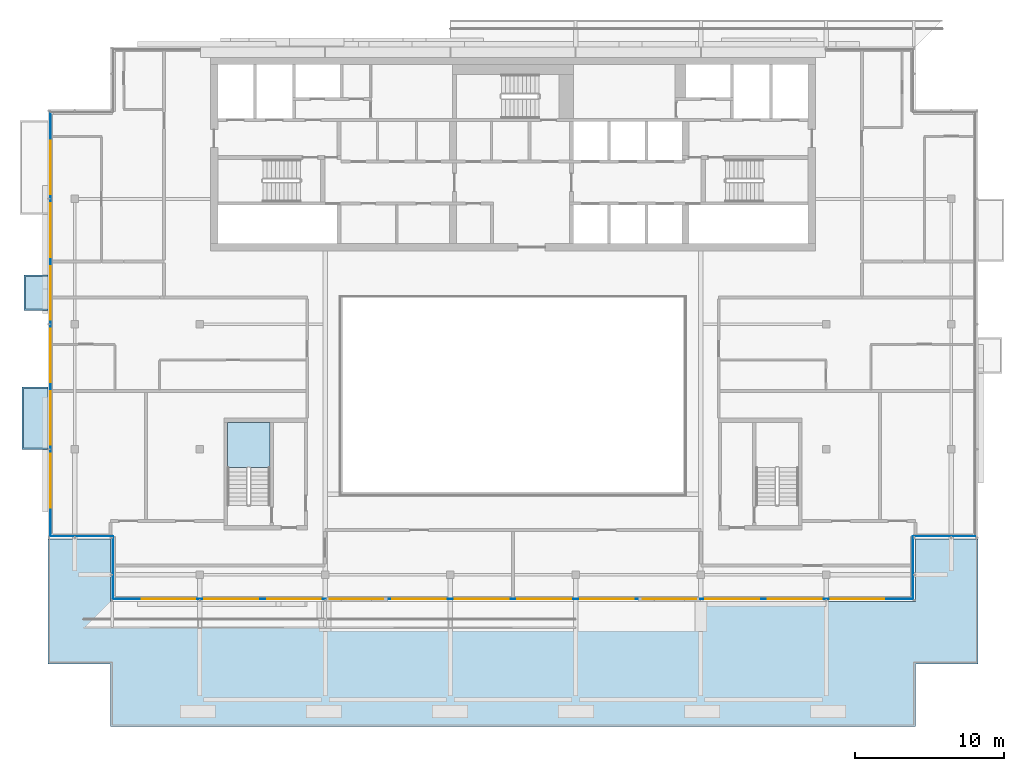
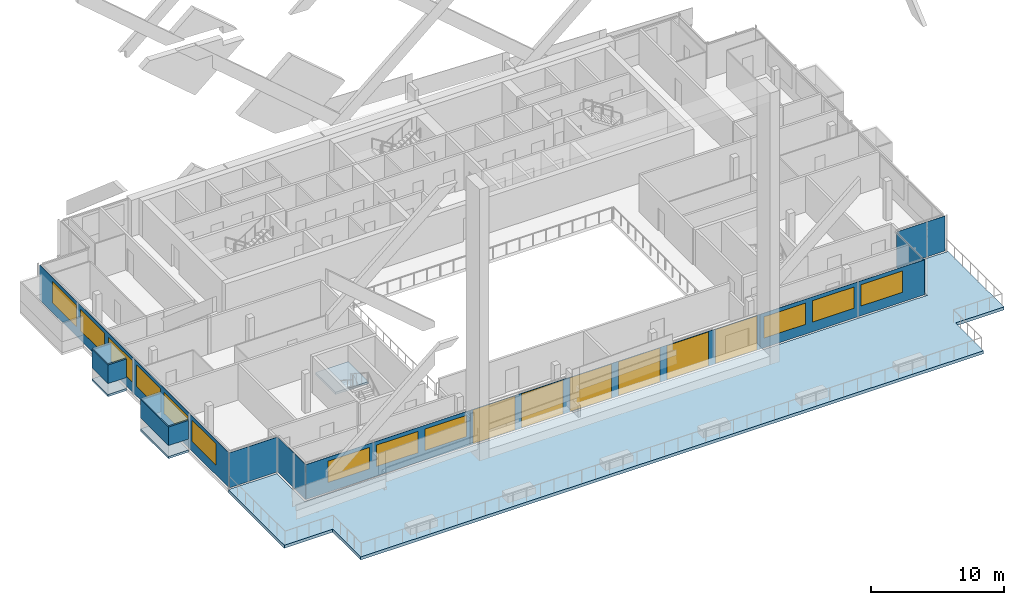
# One storey, part 9 of 22: 18 windows, 12 plates, 4 slabs, 18 openings, 7 elements without a shape of their own.
"""IFC4 building model written with IfcOpenShell, lengths in metres."""

from ifc_helpers import new_model, si_unit, direction, frame, frame_2d, origin, place, context, subcontext, project, spatial, polyline, rectangle, outline, extrude, material, layer, layer_set, type_object, element, fill, aggregate, save


model = new_model("IFC4")

# Units and contexts
model_context = context("Model", 3, precision=1e-05, world=origin(), true_north=direction((0.0, 1.0)))
body_context = subcontext(model_context, "Body", "Model", "MODEL_VIEW")
ifc_project = project(units=[si_unit("LENGTHUNIT", "METRE"), si_unit("AREAUNIT", "SQUARE_METRE"), si_unit("VOLUMEUNIT", "CUBIC_METRE"), si_unit("PLANEANGLEUNIT", "RADIAN"), si_unit("MASSUNIT", "GRAM", prefix="KILO")], contexts=[model_context])

# Site, building, storey
site_placement = place(None, origin())
site = spatial("IfcSite", under=ifc_project, at=site_placement, CompositionType="ELEMENT")
building_placement = place(site_placement, origin())
building = spatial("IfcBuilding", under=site, at=building_placement, Name="Saffron Gate Tower", CompositionType="ELEMENT")
storey_placement = place(building_placement, frame((0.0, 0.0, 285.14990234375)))
storey = spatial("IfcBuildingStorey", under=building, at=storey_placement, Name="L69", CompositionType="ELEMENT", Elevation=285.14990234375)

# Curtain wall, plates, openings, windows
ifc_material_1 = material(Name="Aluminium, bronze anodised", Category="aluminium")
curtain_wall_type_1 = type_object("IfcCurtainWallType", Name="CWS1 curtain wall front facade", PredefinedType="NOTDEFINED", material=ifc_material_1)
curtain_wall_1_placement = place(storey_placement, origin())
curtain_wall_1 = element("IfcCurtainWall", 1, at=curtain_wall_1_placement, inside=storey, type_object=curtain_wall_type_1, Name="CWS1 run 1", PredefinedType="NOTDEFINED")
ifc_material_2 = material(Name="Clear low-iron laminated glass", Category="glass")
ifc_layer_1 = layer(ifc_material_2, 0.028076171875)
ifc_layer_set_1 = layer_set([ifc_layer_1], Name="CWS1 clear glass")
plate_type_1 = type_object("IfcPlateType", Name="CWS1 clear glass", PredefinedType="CURTAIN_PANEL", material=ifc_layer_set_1)
plate_1_placement = place(storey_placement, frame((75.030029296875, 38.573974609375, 0.0), z_axis=(0.0, 0.0, 1.0), x_axis=(1.0, 0.0, 0.0)))
plate_1 = element("IfcPlate", 2, at=plate_1_placement, type_object=plate_type_1, Name="CWS1 clear glass panel", PredefinedType="CURTAIN_PANEL", context=body_context, shape_type="SweptSolid", body=[
    extrude(rectangle(XDim=25.139892578125, YDim=0.028076171875, at=frame_2d((12.56982421875, 0.0))), origin(), (0.0, 0.0, 1.0), 3.2001953125),
])
opening_1_placement = place(plate_1_placement, frame((0.27001953125, 0.0, 0.050048828125)))
opening_1 = element("IfcOpeningElement", 3, at=opening_1_placement, cuts=plate_1, Name="Opening WA", PredefinedType="OPENING", context=body_context, shape_type="SweptSolid", body=[
    extrude(rectangle(XDim=3.60009765625, YDim=3.10009765625, at=frame_2d((1.800048828125, 1.550048828125))), frame((0.0, 0.02392578125, 0.0), z_axis=(0.0, -1.0, 0.0), x_axis=(1.0, 0.0, 0.0)), (0.0, 0.0, 1.0), 0.048095703125),
])
opening_2_placement = place(plate_1_placement, frame((4.469970703125, 0.0, 0.050048828125)))
opening_2 = element("IfcOpeningElement", 4, at=opening_2_placement, cuts=plate_1, Name="Opening WA", PredefinedType="OPENING", context=body_context, shape_type="SweptSolid", body=[
    extrude(rectangle(XDim=3.60009765625, YDim=3.10009765625, at=frame_2d((1.800048828125, 1.550048828125))), frame((0.0, 0.02392578125, 0.0), z_axis=(0.0, -1.0, 0.0), x_axis=(1.0, 0.0, 0.0)), (0.0, 0.0, 1.0), 0.048095703125),
])
opening_3_placement = place(plate_1_placement, frame((8.669921875, 0.0, 0.050048828125)))
opening_3 = element("IfcOpeningElement", 5, at=opening_3_placement, cuts=plate_1, Name="Opening WA", PredefinedType="OPENING", context=body_context, shape_type="SweptSolid", body=[
    extrude(rectangle(XDim=3.60009765625, YDim=3.10009765625, at=frame_2d((1.800048828125, 1.550048828125))), frame((0.0, 0.02392578125, 0.0), z_axis=(0.0, -1.0, 0.0), x_axis=(1.0, 0.0, 0.0)), (0.0, 0.0, 1.0), 0.048095703125),
])
opening_4_placement = place(plate_1_placement, frame((12.8701171875, 0.0, 0.050048828125)))
opening_4 = element("IfcOpeningElement", 6, at=opening_4_placement, cuts=plate_1, Name="Opening WA", PredefinedType="OPENING", context=body_context, shape_type="SweptSolid", body=[
    extrude(rectangle(XDim=3.60009765625, YDim=3.10009765625, at=frame_2d((1.800048828125, 1.550048828125))), frame((0.0, 0.02392578125, 0.0), z_axis=(0.0, -1.0, 0.0), x_axis=(1.0, 0.0, 0.0)), (0.0, 0.0, 1.0), 0.048095703125),
])
opening_5_placement = place(plate_1_placement, frame((17.070068359375, 0.0, 0.050048828125)))
opening_5 = element("IfcOpeningElement", 7, at=opening_5_placement, cuts=plate_1, Name="Opening WA", PredefinedType="OPENING", context=body_context, shape_type="SweptSolid", body=[
    extrude(rectangle(XDim=3.60009765625, YDim=3.10009765625, at=frame_2d((1.800048828125, 1.550048828125))), frame((0.0, 0.02392578125, 0.0), z_axis=(0.0, -1.0, 0.0), x_axis=(1.0, 0.0, 0.0)), (0.0, 0.0, 1.0), 0.048095703125),
])
opening_6_placement = place(plate_1_placement, frame((21.27001953125, 0.0, 0.050048828125)))
opening_6 = element("IfcOpeningElement", 8, at=opening_6_placement, cuts=plate_1, Name="Opening WA", PredefinedType="OPENING", context=body_context, shape_type="SweptSolid", body=[
    extrude(rectangle(XDim=3.60009765625, YDim=3.10009765625, at=frame_2d((1.800048828125, 1.550048828125))), frame((0.0, 0.02392578125, 0.0), z_axis=(0.0, -1.0, 0.0), x_axis=(1.0, 0.0, 0.0)), (0.0, 0.0, 1.0), 0.048095703125),
])
ifc_material_3 = material(Name="Clear low-iron laminated glass in bronze frame", Category="glass")
ifc_layer_2 = layer(ifc_material_3, 0.06005859375)
ifc_layer_set_2 = layer_set([ifc_layer_2], Name="WA operable atrium unit 3600x3100")
window_type_1 = type_object("IfcWindowType", Name="WA operable atrium unit 3600x3100", PartitioningType="DOUBLE_PANEL_HORIZONTAL", PredefinedType="WINDOW", material=ifc_layer_set_2)
window_1_placement = place(opening_1_placement, origin())
window_1 = element("IfcWindow", 9, at=window_1_placement, type_object=window_type_1, Name="WA operable atrium unit", OverallHeight=3.10009765625, OverallWidth=3.60009765625, PartitioningType="SINGLE_PANEL", PredefinedType="WINDOW", context=body_context, shape_type="SweptSolid", body=[
    extrude(rectangle(XDim=3.60009765625, YDim=3.10009765625, at=frame_2d((1.800048828125, 1.550048828125))), frame((0.0, 0.013671875, 0.0), z_axis=(0.0, -1.0, 0.0), x_axis=(1.0, 0.0, 0.0)), (0.0, 0.0, 1.0), 0.027587890625),
])
fill(opening_1, window_1)
window_2_placement = place(opening_2_placement, origin())
window_2 = element("IfcWindow", 10, at=window_2_placement, type_object=window_type_1, Name="WA operable atrium unit", OverallHeight=3.10009765625, OverallWidth=3.60009765625, PartitioningType="SINGLE_PANEL", PredefinedType="WINDOW", context=body_context, shape_type="SweptSolid", body=[
    extrude(rectangle(XDim=3.60009765625, YDim=3.10009765625, at=frame_2d((1.800048828125, 1.550048828125))), frame((0.0, 0.013671875, 0.0), z_axis=(0.0, -1.0, 0.0), x_axis=(1.0, 0.0, 0.0)), (0.0, 0.0, 1.0), 0.027587890625),
])
fill(opening_2, window_2)
window_3_placement = place(opening_3_placement, origin())
window_3 = element("IfcWindow", 11, at=window_3_placement, type_object=window_type_1, Name="WA operable atrium unit", OverallHeight=3.10009765625, OverallWidth=3.60009765625, PartitioningType="SINGLE_PANEL", PredefinedType="WINDOW", context=body_context, shape_type="SweptSolid", body=[
    extrude(rectangle(XDim=3.60009765625, YDim=3.10009765625, at=frame_2d((1.800048828125, 1.550048828125))), frame((0.0, 0.013671875, 0.0), z_axis=(0.0, -1.0, 0.0), x_axis=(1.0, 0.0, 0.0)), (0.0, 0.0, 1.0), 0.027587890625),
])
fill(opening_3, window_3)
window_4_placement = place(opening_4_placement, origin())
window_4 = element("IfcWindow", 12, at=window_4_placement, type_object=window_type_1, Name="WA operable atrium unit", OverallHeight=3.10009765625, OverallWidth=3.60009765625, PartitioningType="SINGLE_PANEL", PredefinedType="WINDOW", context=body_context, shape_type="SweptSolid", body=[
    extrude(rectangle(XDim=3.60009765625, YDim=3.10009765625, at=frame_2d((1.800048828125, 1.550048828125))), frame((0.0, 0.013671875, 0.0), z_axis=(0.0, -1.0, 0.0), x_axis=(1.0, 0.0, 0.0)), (0.0, 0.0, 1.0), 0.027587890625),
])
fill(opening_4, window_4)
window_5_placement = place(opening_5_placement, origin())
window_5 = element("IfcWindow", 13, at=window_5_placement, type_object=window_type_1, Name="WA operable atrium unit", OverallHeight=3.10009765625, OverallWidth=3.60009765625, PartitioningType="SINGLE_PANEL", PredefinedType="WINDOW", context=body_context, shape_type="SweptSolid", body=[
    extrude(rectangle(XDim=3.60009765625, YDim=3.10009765625, at=frame_2d((1.800048828125, 1.550048828125))), frame((0.0, 0.013671875, 0.0), z_axis=(0.0, -1.0, 0.0), x_axis=(1.0, 0.0, 0.0)), (0.0, 0.0, 1.0), 0.027587890625),
])
fill(opening_5, window_5)
window_6_placement = place(opening_6_placement, origin())
window_6 = element("IfcWindow", 14, at=window_6_placement, type_object=window_type_1, Name="WA operable atrium unit", OverallHeight=3.10009765625, OverallWidth=3.60009765625, PartitioningType="SINGLE_PANEL", PredefinedType="WINDOW", context=body_context, shape_type="SweptSolid", body=[
    extrude(rectangle(XDim=3.60009765625, YDim=3.10009765625, at=frame_2d((1.800048828125, 1.550048828125))), frame((0.0, 0.013671875, 0.0), z_axis=(0.0, -1.0, 0.0), x_axis=(1.0, 0.0, 0.0)), (0.0, 0.0, 1.0), 0.027587890625),
])
fill(opening_6, window_6)
ifc_material_4 = material(Name="Fritted bronze-tinted laminated glass", Category="glass")
ifc_layer_3 = layer(ifc_material_4, 0.028076171875)
ifc_layer_set_3 = layer_set([ifc_layer_3], Name="CWS1 fixed glass")
plate_type_2 = type_object("IfcPlateType", Name="CWS1 fixed glass", PredefinedType="CURTAIN_PANEL", material=ifc_layer_set_3)
plate_2_placement = place(storey_placement, frame((60.7880859375, 38.573974609375, 0.0), z_axis=(0.0, 0.0, 1.0), x_axis=(1.0, 0.0, 0.0)))
plate_2 = element("IfcPlate", 15, at=plate_2_placement, type_object=plate_type_2, Name="CWS1 glass panel", PredefinedType="CURTAIN_PANEL", context=body_context, shape_type="SweptSolid", body=[
    extrude(rectangle(XDim=14.241943359375, YDim=0.028076171875, at=frame_2d((7.12109375, 0.0))), origin(), (0.0, 0.0, 1.0), 3.2001953125),
])
opening_7_placement = place(plate_2_placement, frame((1.912109375, 0.0, 0.89990234375)))
opening_7 = element("IfcOpeningElement", 16, at=opening_7_placement, cuts=plate_2, Name="Opening W1", PredefinedType="OPENING", context=body_context, shape_type="SweptSolid", body=[
    extrude(rectangle(XDim=3.60009765625, YDim=1.949951171875, at=frame_2d((1.800048828125, 0.97509765625))), frame((0.0, 0.02392578125, 0.0), z_axis=(0.0, -1.0, 0.0), x_axis=(1.0, 0.0, 0.0)), (0.0, 0.0, 1.0), 0.048095703125),
])
opening_8_placement = place(plate_2_placement, frame((6.112060546875, 0.0, 0.89990234375)))
opening_8 = element("IfcOpeningElement", 17, at=opening_8_placement, cuts=plate_2, Name="Opening W1", PredefinedType="OPENING", context=body_context, shape_type="SweptSolid", body=[
    extrude(rectangle(XDim=3.60009765625, YDim=1.949951171875, at=frame_2d((1.800048828125, 0.97509765625))), frame((0.0, 0.02392578125, 0.0), z_axis=(0.0, -1.0, 0.0), x_axis=(1.0, 0.0, 0.0)), (0.0, 0.0, 1.0), 0.048095703125),
])
opening_9_placement = place(plate_2_placement, frame((10.31201171875, 0.0, 0.89990234375)))
opening_9 = element("IfcOpeningElement", 18, at=opening_9_placement, cuts=plate_2, Name="Opening W1", PredefinedType="OPENING", context=body_context, shape_type="SweptSolid", body=[
    extrude(rectangle(XDim=3.60009765625, YDim=1.949951171875, at=frame_2d((1.800048828125, 0.97509765625))), frame((0.0, 0.02392578125, 0.0), z_axis=(0.0, -1.0, 0.0), x_axis=(1.0, 0.0, 0.0)), (0.0, 0.0, 1.0), 0.048095703125),
])
ifc_material_5 = material(Name="Fritted bronze-tinted laminated glass in bronze frame", Category="glass")
ifc_layer_4 = layer(ifc_material_5, 0.06005859375)
ifc_layer_set_4 = layer_set([ifc_layer_4], Name="W1 operable panel 3600x1950")
window_type_2 = type_object("IfcWindowType", Name="W1 operable panel 3600x1950", PartitioningType="DOUBLE_PANEL_HORIZONTAL", PredefinedType="WINDOW", material=ifc_layer_set_4)
window_7_placement = place(opening_7_placement, origin())
window_7 = element("IfcWindow", 19, at=window_7_placement, type_object=window_type_2, Name="W1 operable panel", OverallHeight=1.949951171875, OverallWidth=3.60009765625, PartitioningType="SINGLE_PANEL", PredefinedType="WINDOW", context=body_context, shape_type="SweptSolid", body=[
    extrude(rectangle(XDim=3.60009765625, YDim=1.949951171875, at=frame_2d((1.800048828125, 0.97509765625))), frame((0.0, 0.013671875, 0.0), z_axis=(0.0, -1.0, 0.0), x_axis=(1.0, 0.0, 0.0)), (0.0, 0.0, 1.0), 0.027587890625),
])
fill(opening_7, window_7)
window_8_placement = place(opening_8_placement, origin())
window_8 = element("IfcWindow", 20, at=window_8_placement, type_object=window_type_2, Name="W1 operable panel", OverallHeight=1.949951171875, OverallWidth=3.60009765625, PartitioningType="SINGLE_PANEL", PredefinedType="WINDOW", context=body_context, shape_type="SweptSolid", body=[
    extrude(rectangle(XDim=3.60009765625, YDim=1.949951171875, at=frame_2d((1.800048828125, 0.97509765625))), frame((0.0, 0.013671875, 0.0), z_axis=(0.0, -1.0, 0.0), x_axis=(1.0, 0.0, 0.0)), (0.0, 0.0, 1.0), 0.027587890625),
])
fill(opening_8, window_8)
window_9_placement = place(opening_9_placement, origin())
window_9 = element("IfcWindow", 21, at=window_9_placement, type_object=window_type_2, Name="W1 operable panel", OverallHeight=1.949951171875, OverallWidth=3.60009765625, PartitioningType="SINGLE_PANEL", PredefinedType="WINDOW", context=body_context, shape_type="SweptSolid", body=[
    extrude(rectangle(XDim=3.60009765625, YDim=1.949951171875, at=frame_2d((1.800048828125, 0.97509765625))), frame((0.0, 0.013671875, 0.0), z_axis=(0.0, -1.0, 0.0), x_axis=(1.0, 0.0, 0.0)), (0.0, 0.0, 1.0), 0.027587890625),
])
fill(opening_9, window_9)
plate_3_placement = place(storey_placement, frame((100.169921875, 38.573974609375, 0.0), z_axis=(0.0, 0.0, 1.0), x_axis=(1.0, 0.0, 0.0)))
plate_3 = element("IfcPlate", 22, at=plate_3_placement, type_object=plate_type_2, Name="CWS1 glass panel", PredefinedType="CURTAIN_PANEL", context=body_context, shape_type="SweptSolid", body=[
    extrude(rectangle(XDim=14.2421875, YDim=0.028076171875, at=frame_2d((7.12109375, 0.0))), origin(), (0.0, 0.0, 1.0), 3.2001953125),
])
opening_10_placement = place(plate_3_placement, frame((0.330078125, 0.0, 0.89990234375)))
opening_10 = element("IfcOpeningElement", 23, at=opening_10_placement, cuts=plate_3, Name="Opening W1", PredefinedType="OPENING", context=body_context, shape_type="SweptSolid", body=[
    extrude(rectangle(XDim=3.60009765625, YDim=1.949951171875, at=frame_2d((1.800048828125, 0.97509765625))), frame((0.0, 0.02392578125, 0.0), z_axis=(0.0, -1.0, 0.0), x_axis=(1.0, 0.0, 0.0)), (0.0, 0.0, 1.0), 0.048095703125),
])
opening_11_placement = place(plate_3_placement, frame((4.530029296875, 0.0, 0.89990234375)))
opening_11 = element("IfcOpeningElement", 24, at=opening_11_placement, cuts=plate_3, Name="Opening W1", PredefinedType="OPENING", context=body_context, shape_type="SweptSolid", body=[
    extrude(rectangle(XDim=3.60009765625, YDim=1.949951171875, at=frame_2d((1.800048828125, 0.97509765625))), frame((0.0, 0.02392578125, 0.0), z_axis=(0.0, -1.0, 0.0), x_axis=(1.0, 0.0, 0.0)), (0.0, 0.0, 1.0), 0.048095703125),
])
opening_12_placement = place(plate_3_placement, frame((8.72998046875, 0.0, 0.89990234375)))
opening_12 = element("IfcOpeningElement", 25, at=opening_12_placement, cuts=plate_3, Name="Opening W1", PredefinedType="OPENING", context=body_context, shape_type="SweptSolid", body=[
    extrude(rectangle(XDim=3.60009765625, YDim=1.949951171875, at=frame_2d((1.800048828125, 0.97509765625))), frame((0.0, 0.02392578125, 0.0), z_axis=(0.0, -1.0, 0.0), x_axis=(1.0, 0.0, 0.0)), (0.0, 0.0, 1.0), 0.048095703125),
])
window_10_placement = place(opening_10_placement, origin())
window_10 = element("IfcWindow", 26, at=window_10_placement, type_object=window_type_2, Name="W1 operable panel", OverallHeight=1.949951171875, OverallWidth=3.60009765625, PartitioningType="SINGLE_PANEL", PredefinedType="WINDOW", context=body_context, shape_type="SweptSolid", body=[
    extrude(rectangle(XDim=3.60009765625, YDim=1.949951171875, at=frame_2d((1.800048828125, 0.97509765625))), frame((0.0, 0.013671875, 0.0), z_axis=(0.0, -1.0, 0.0), x_axis=(1.0, 0.0, 0.0)), (0.0, 0.0, 1.0), 0.027587890625),
])
fill(opening_10, window_10)
window_11_placement = place(opening_11_placement, origin())
window_11 = element("IfcWindow", 27, at=window_11_placement, type_object=window_type_2, Name="W1 operable panel", OverallHeight=1.949951171875, OverallWidth=3.60009765625, PartitioningType="SINGLE_PANEL", PredefinedType="WINDOW", context=body_context, shape_type="SweptSolid", body=[
    extrude(rectangle(XDim=3.60009765625, YDim=1.949951171875, at=frame_2d((1.800048828125, 0.97509765625))), frame((0.0, 0.013671875, 0.0), z_axis=(0.0, -1.0, 0.0), x_axis=(1.0, 0.0, 0.0)), (0.0, 0.0, 1.0), 0.027587890625),
])
fill(opening_11, window_11)
window_12_placement = place(opening_12_placement, origin())
window_12 = element("IfcWindow", 28, at=window_12_placement, type_object=window_type_2, Name="W1 operable panel", OverallHeight=1.949951171875, OverallWidth=3.60009765625, PartitioningType="SINGLE_PANEL", PredefinedType="WINDOW", context=body_context, shape_type="SweptSolid", body=[
    extrude(rectangle(XDim=3.60009765625, YDim=1.949951171875, at=frame_2d((1.800048828125, 0.97509765625))), frame((0.0, 0.013671875, 0.0), z_axis=(0.0, -1.0, 0.0), x_axis=(1.0, 0.0, 0.0)), (0.0, 0.0, 1.0), 0.027587890625),
])
fill(opening_12, window_12)
aggregate(curtain_wall_1, [plate_2, plate_3, plate_1, window_7, window_8, window_9, window_10, window_11, window_12, window_1, window_2, window_3, window_4, window_5, window_6])

# Curtain wall, plate, openings, windows
curtain_wall_type_2 = type_object("IfcCurtainWallType", Name="CWS2 curtain wall side facades", PredefinedType="NOTDEFINED", material=ifc_material_1)
curtain_wall_2_placement = place(storey_placement, origin())
curtain_wall_2 = element("IfcCurtainWall", 29, at=curtain_wall_2_placement, inside=storey, type_object=curtain_wall_type_2, Name="CWS2 run 10", PredefinedType="NOTDEFINED")
ifc_layer_5 = layer(ifc_material_4, 0.028076171875)
ifc_layer_set_5 = layer_set([ifc_layer_5], Name="CWS2 fixed glass")
plate_type_3 = type_object("IfcPlateType", Name="CWS2 fixed glass", PredefinedType="CURTAIN_PANEL", material=ifc_layer_set_5)
plate_4_placement = place(storey_placement, frame((56.573974609375, 71.2119140625, 0.0), z_axis=(0.0, 0.0, 1.0), x_axis=(0.0, -1.0, 0.0)))
plate_4 = element("IfcPlate", 30, at=plate_4_placement, type_object=plate_type_3, Name="CWS2 glass panel", PredefinedType="CURTAIN_PANEL", context=body_context, shape_type="SweptSolid", body=[
    extrude(rectangle(XDim=28.423828125, YDim=0.028076171875, at=frame_2d((14.2119140625, 0.0))), origin(), (0.0, 0.0, 1.0), 3.2001953125),
])
opening_13_placement = place(plate_4_placement, frame((1.912109375, 0.0, 0.89990234375)))
opening_13 = element("IfcOpeningElement", 31, at=opening_13_placement, cuts=plate_4, Name="Opening W1", PredefinedType="OPENING", context=body_context, shape_type="SweptSolid", body=[
    extrude(rectangle(XDim=3.60009765625, YDim=1.949951171875, at=frame_2d((1.800048828125, 0.97509765625))), frame((0.0, 0.02392578125, 0.0), z_axis=(0.0, -1.0, 0.0), x_axis=(1.0, 0.0, 0.0)), (0.0, 0.0, 1.0), 0.048095703125),
])
opening_14_placement = place(plate_4_placement, frame((6.112060546875, 0.0, 0.89990234375)))
opening_14 = element("IfcOpeningElement", 32, at=opening_14_placement, cuts=plate_4, Name="Opening W1", PredefinedType="OPENING", context=body_context, shape_type="SweptSolid", body=[
    extrude(rectangle(XDim=3.60009765625, YDim=1.949951171875, at=frame_2d((1.800048828125, 0.97509765625))), frame((0.0, 0.02392578125, 0.0), z_axis=(0.0, -1.0, 0.0), x_axis=(1.0, 0.0, 0.0)), (0.0, 0.0, 1.0), 0.048095703125),
])
opening_15_placement = place(plate_4_placement, frame((10.31201171875, 0.0, 0.89990234375)))
opening_15 = element("IfcOpeningElement", 33, at=opening_15_placement, cuts=plate_4, Name="Opening W1", PredefinedType="OPENING", context=body_context, shape_type="SweptSolid", body=[
    extrude(rectangle(XDim=3.60009765625, YDim=1.949951171875, at=frame_2d((1.800048828125, 0.97509765625))), frame((0.0, 0.02392578125, 0.0), z_axis=(0.0, -1.0, 0.0), x_axis=(1.0, 0.0, 0.0)), (0.0, 0.0, 1.0), 0.048095703125),
])
opening_16_placement = place(plate_4_placement, frame((14.511962890625, 0.0, 0.89990234375)))
opening_16 = element("IfcOpeningElement", 34, at=opening_16_placement, cuts=plate_4, Name="Opening W1", PredefinedType="OPENING", context=body_context, shape_type="SweptSolid", body=[
    extrude(rectangle(XDim=3.60009765625, YDim=1.949951171875, at=frame_2d((1.800048828125, 0.97509765625))), frame((0.0, 0.02392578125, 0.0), z_axis=(0.0, -1.0, 0.0), x_axis=(1.0, 0.0, 0.0)), (0.0, 0.0, 1.0), 0.048095703125),
])
opening_17_placement = place(plate_4_placement, frame((18.7119140625, 0.0, 0.89990234375)))
opening_17 = element("IfcOpeningElement", 35, at=opening_17_placement, cuts=plate_4, Name="Opening W1", PredefinedType="OPENING", context=body_context, shape_type="SweptSolid", body=[
    extrude(rectangle(XDim=3.60009765625, YDim=1.949951171875, at=frame_2d((1.800048828125, 0.97509765625))), frame((0.0, 0.02392578125, 0.0), z_axis=(0.0, -1.0, 0.0), x_axis=(1.0, 0.0, 0.0)), (0.0, 0.0, 1.0), 0.048095703125),
])
opening_18_placement = place(plate_4_placement, frame((22.912109375, 0.0, 0.89990234375)))
opening_18 = element("IfcOpeningElement", 36, at=opening_18_placement, cuts=plate_4, Name="Opening W1", PredefinedType="OPENING", context=body_context, shape_type="SweptSolid", body=[
    extrude(rectangle(XDim=3.60009765625, YDim=1.949951171875, at=frame_2d((1.800048828125, 0.97509765625))), frame((0.0, 0.02392578125, 0.0), z_axis=(0.0, -1.0, 0.0), x_axis=(1.0, 0.0, 0.0)), (0.0, 0.0, 1.0), 0.048095703125),
])
window_13_placement = place(opening_13_placement, origin())
window_13 = element("IfcWindow", 37, at=window_13_placement, type_object=window_type_2, Name="W1 operable panel", OverallHeight=1.949951171875, OverallWidth=3.60009765625, PartitioningType="SINGLE_PANEL", PredefinedType="WINDOW", context=body_context, shape_type="SweptSolid", body=[
    extrude(rectangle(XDim=3.60009765625, YDim=1.949951171875, at=frame_2d((1.800048828125, 0.97509765625))), frame((0.0, 0.013671875, 0.0), z_axis=(0.0, -1.0, 0.0), x_axis=(1.0, 0.0, 0.0)), (0.0, 0.0, 1.0), 0.027587890625),
])
fill(opening_13, window_13)
window_14_placement = place(opening_14_placement, origin())
window_14 = element("IfcWindow", 38, at=window_14_placement, type_object=window_type_2, Name="W1 operable panel", OverallHeight=1.949951171875, OverallWidth=3.60009765625, PartitioningType="SINGLE_PANEL", PredefinedType="WINDOW", context=body_context, shape_type="SweptSolid", body=[
    extrude(rectangle(XDim=3.60009765625, YDim=1.949951171875, at=frame_2d((1.800048828125, 0.97509765625))), frame((0.0, 0.013671875, 0.0), z_axis=(0.0, -1.0, 0.0), x_axis=(1.0, 0.0, 0.0)), (0.0, 0.0, 1.0), 0.027587890625),
])
fill(opening_14, window_14)
window_15_placement = place(opening_15_placement, origin())
window_15 = element("IfcWindow", 39, at=window_15_placement, type_object=window_type_2, Name="W1 operable panel", OverallHeight=1.949951171875, OverallWidth=3.60009765625, PartitioningType="SINGLE_PANEL", PredefinedType="WINDOW", context=body_context, shape_type="SweptSolid", body=[
    extrude(rectangle(XDim=3.60009765625, YDim=1.949951171875, at=frame_2d((1.800048828125, 0.97509765625))), frame((0.0, 0.013671875, 0.0), z_axis=(0.0, -1.0, 0.0), x_axis=(1.0, 0.0, 0.0)), (0.0, 0.0, 1.0), 0.027587890625),
])
fill(opening_15, window_15)
window_16_placement = place(opening_16_placement, origin())
window_16 = element("IfcWindow", 40, at=window_16_placement, type_object=window_type_2, Name="W1 operable panel", OverallHeight=1.949951171875, OverallWidth=3.60009765625, PartitioningType="SINGLE_PANEL", PredefinedType="WINDOW", context=body_context, shape_type="SweptSolid", body=[
    extrude(rectangle(XDim=3.60009765625, YDim=1.949951171875, at=frame_2d((1.800048828125, 0.97509765625))), frame((0.0, 0.013671875, 0.0), z_axis=(0.0, -1.0, 0.0), x_axis=(1.0, 0.0, 0.0)), (0.0, 0.0, 1.0), 0.027587890625),
])
fill(opening_16, window_16)
window_17_placement = place(opening_17_placement, origin())
window_17 = element("IfcWindow", 41, at=window_17_placement, type_object=window_type_2, Name="W1 operable panel", OverallHeight=1.949951171875, OverallWidth=3.60009765625, PartitioningType="SINGLE_PANEL", PredefinedType="WINDOW", context=body_context, shape_type="SweptSolid", body=[
    extrude(rectangle(XDim=3.60009765625, YDim=1.949951171875, at=frame_2d((1.800048828125, 0.97509765625))), frame((0.0, 0.013671875, 0.0), z_axis=(0.0, -1.0, 0.0), x_axis=(1.0, 0.0, 0.0)), (0.0, 0.0, 1.0), 0.027587890625),
])
fill(opening_17, window_17)
window_18_placement = place(opening_18_placement, origin())
window_18 = element("IfcWindow", 42, at=window_18_placement, type_object=window_type_2, Name="W1 operable panel", OverallHeight=1.949951171875, OverallWidth=3.60009765625, PartitioningType="SINGLE_PANEL", PredefinedType="WINDOW", context=body_context, shape_type="SweptSolid", body=[
    extrude(rectangle(XDim=3.60009765625, YDim=1.949951171875, at=frame_2d((1.800048828125, 0.97509765625))), frame((0.0, 0.013671875, 0.0), z_axis=(0.0, -1.0, 0.0), x_axis=(1.0, 0.0, 0.0)), (0.0, 0.0, 1.0), 0.027587890625),
])
fill(opening_18, window_18)
aggregate(curtain_wall_2, [plate_4, window_13, window_14, window_15, window_16, window_17, window_18])

# Curtain wall, plate
curtain_wall_type_3 = type_object("IfcCurtainWallType", Name="CWS4 curtain wall corner returns", PredefinedType="NOTDEFINED", material=ifc_material_1)
curtain_wall_3_placement = place(storey_placement, origin())
curtain_wall_3 = element("IfcCurtainWall", 43, at=curtain_wall_3_placement, inside=storey, type_object=curtain_wall_type_3, Name="CWS4 run 2", PredefinedType="NOTDEFINED")
ifc_layer_6 = layer(ifc_material_4, 0.028076171875)
ifc_layer_set_6 = layer_set([ifc_layer_6], Name="CWS4 fixed glass")
plate_type_4 = type_object("IfcPlateType", Name="CWS4 fixed glass", PredefinedType="CURTAIN_PANEL", material=ifc_layer_set_6)
plate_5_placement = place(storey_placement, frame((114.426025390625, 38.587890625, 0.0), z_axis=(0.0, 0.0, 1.0), x_axis=(0.0, 1.0, 0.0)))
plate_5 = element("IfcPlate", 44, at=plate_5_placement, type_object=plate_type_4, Name="CWS4 glass panel", PredefinedType="CURTAIN_PANEL", context=body_context, shape_type="SweptSolid", body=[
    extrude(rectangle(XDim=4.172119140625, YDim=0.028076171875, at=frame_2d((2.0859375, 0.0))), origin(), (0.0, 0.0, 1.0), 3.2001953125),
])
aggregate(curtain_wall_3, [plate_5])

curtain_wall_4_placement = place(storey_placement, origin())
curtain_wall_4 = element("IfcCurtainWall", 45, at=curtain_wall_4_placement, inside=storey, type_object=curtain_wall_type_3, Name="CWS4 run 3", PredefinedType="NOTDEFINED")
plate_6_placement = place(storey_placement, frame((114.43994140625, 42.77392578125, 0.0), z_axis=(0.0, 0.0, 1.0), x_axis=(1.0, 0.0, 0.0)))
plate_6 = element("IfcPlate", 46, at=plate_6_placement, type_object=plate_type_4, Name="CWS4 glass panel", PredefinedType="CURTAIN_PANEL", context=body_context, shape_type="SweptSolid", body=[
    extrude(rectangle(XDim=4.172119140625, YDim=0.028076171875, at=frame_2d((2.0859375, 0.0))), origin(), (0.0, 0.0, 1.0), 3.2001953125),
])
aggregate(curtain_wall_4, [plate_6])

curtain_wall_5_placement = place(storey_placement, origin())
curtain_wall_5 = element("IfcCurtainWall", 47, at=curtain_wall_5_placement, inside=storey, type_object=curtain_wall_type_3, Name="CWS4 run 11", PredefinedType="NOTDEFINED")
plate_7_placement = place(storey_placement, frame((56.587890625, 42.77392578125, 0.0), z_axis=(0.0, 0.0, 1.0), x_axis=(1.0, 0.0, 0.0)))
plate_7 = element("IfcPlate", 48, at=plate_7_placement, type_object=plate_type_4, Name="CWS4 glass panel", PredefinedType="CURTAIN_PANEL", context=body_context, shape_type="SweptSolid", body=[
    extrude(rectangle(XDim=4.172119140625, YDim=0.028076171875, at=frame_2d((2.0859375, 0.0))), origin(), (0.0, 0.0, 1.0), 3.2001953125),
])
aggregate(curtain_wall_5, [plate_7])

curtain_wall_6_placement = place(storey_placement, origin())
curtain_wall_6 = element("IfcCurtainWall", 49, at=curtain_wall_6_placement, inside=storey, type_object=curtain_wall_type_3, Name="CWS4 run 12", PredefinedType="NOTDEFINED")
plate_8_placement = place(storey_placement, frame((60.77392578125, 42.760009765625, 0.0), z_axis=(0.0, 0.0, 1.0), x_axis=(0.0, -1.0, 0.0)))
plate_8 = element("IfcPlate", 50, at=plate_8_placement, type_object=plate_type_4, Name="CWS4 glass panel", PredefinedType="CURTAIN_PANEL", context=body_context, shape_type="SweptSolid", body=[
    extrude(rectangle(XDim=4.172119140625, YDim=0.028076171875, at=frame_2d((2.0859375, 0.0))), origin(), (0.0, 0.0, 1.0), 3.2001953125),
])
aggregate(curtain_wall_6, [plate_8])

# Slab
ifc_material_6 = material(Name="Concrete C40", Category="concrete")
ifc_layer_7 = layer(ifc_material_6, 0.280029296875)
ifc_layer_set_7 = layer_set([ifc_layer_7], Name="S4 ROOF SLAB 280 CONCRETE C40")
slab_type_1 = type_object("IfcSlabType", Name="S4 ROOF SLAB 280 CONCRETE C40", PredefinedType="ROOF", material=ifc_layer_set_7)
slab_1_placement = place(storey_placement, frame((0.0, 0.0, -0.27978515625)))
element("IfcSlab", 51, at=slab_1_placement, inside=storey, type_object=slab_type_1, Name="S4 TERRACE SLAB", PredefinedType="ROOF", context=body_context, shape_type="SweptSolid", body=[
    extrude(outline(polyline([(56.39990234375, 34.199951171875), (60.60009765625, 34.199951171875), (60.60009765625, 30.0), (114.60009765625, 30.0), (114.60009765625, 34.199951171875), (118.800048828125, 34.199951171875), (118.800048828125, 42.60009765625), (114.60009765625, 42.60009765625), (114.60009765625, 38.39990234375), (60.60009765625, 38.39990234375), (60.60009765625, 42.60009765625), (56.39990234375, 42.60009765625), (56.39990234375, 34.199951171875)])), origin(), (0.0, 0.0, 1.0), 0.27978515625),
])

# Stair, slab
stair_type = type_object("IfcStairType", Name="ST7 Stair 1350 wide, 20 risers of 180", PredefinedType="HALF_TURN_STAIR", material=ifc_material_6)
stair_placement = place(storey_placement, origin())
stair = element("IfcStair", 52, at=stair_placement, inside=storey, type_object=stair_type, Name="L69 Exit stair D", PredefinedType="HALF_TURN_STAIR")
ifc_layer_8 = layer(ifc_material_6, 0.199951171875)
ifc_layer_set_8 = layer_set([ifc_layer_8], Name="SL1 Stair landing 200")
slab_type_2 = type_object("IfcSlabType", Name="SL1 Stair landing 200", PredefinedType="LANDING", material=ifc_layer_set_8)
slab_2_placement = place(storey_placement, frame((0.0, 0.0, 1.60009765625)))
slab_2 = element("IfcSlab", 53, at=slab_2_placement, type_object=slab_type_2, Name="ST-D landing 1", PredefinedType="LANDING", context=body_context, shape_type="SweptSolid", body=[
    extrude(outline(polyline([(71.300048828125, 47.3701171875), (71.300048828125, 50.39990234375), (68.449951171875, 50.39990234375), (68.449951171875, 47.3701171875), (71.300048828125, 47.3701171875)])), origin(), (0.0, 0.0, 1.0), 0.199951171875),
])
aggregate(stair, [slab_2])

# Slabs
ifc_material_7 = material(Name="Timber deck on bronze frame", Category="wood")
ifc_layer_9 = layer(ifc_material_7, 0.199951171875)
ifc_layer_set_9 = layer_set([ifc_layer_9], Name="WB1 box floor")
slab_type_3 = type_object("IfcSlabType", Name="WB1 box floor", PredefinedType="FLOOR", material=ifc_layer_set_9)
slab_3_placement = place(storey_placement, frame((0.0, 0.0, -0.199951171875)))
element("IfcSlab", 54, at=slab_3_placement, inside=storey, type_object=slab_type_3, Name="WINDOW BOX floor", PredefinedType="FLOOR", context=body_context, shape_type="SweptSolid", body=[
    extrude(outline(polyline([(56.39990234375, 60.300048828125), (56.39990234375, 57.89990234375), (54.800048828125, 57.89990234375), (54.800048828125, 60.300048828125), (56.39990234375, 60.300048828125)])), origin(), (0.0, 0.0, 1.0), 0.199951171875),
])
slab_4_placement = place(storey_placement, frame((0.0, 0.0, -0.199951171875)))
element("IfcSlab", 55, at=slab_4_placement, inside=storey, type_object=slab_type_3, Name="WINDOW BOX floor", PredefinedType="FLOOR", context=body_context, shape_type="SweptSolid", body=[
    extrude(outline(polyline([(56.39990234375, 52.800048828125), (56.39990234375, 48.60009765625), (54.6669921875, 48.60009765625), (54.6669921875, 52.800048828125), (56.39990234375, 52.800048828125)])), origin(), (0.0, 0.0, 1.0), 0.199951171875),
])

# Plates
ifc_layer_10 = layer(ifc_material_1, 0.1201171875)
ifc_layer_set_10 = layer_set([ifc_layer_10], Name="WB2 box roof")
plate_type_5 = type_object("IfcPlateType", Name="WB2 box roof", PredefinedType="SHEET", material=ifc_layer_set_10)
plate_9_placement = place(storey_placement, frame((0.0, 0.0, 2.7001953125)))
element("IfcPlate", 56, at=plate_9_placement, inside=storey, type_object=plate_type_5, Name="WINDOW BOX roof", PredefinedType="SHEET", context=body_context, shape_type="SweptSolid", body=[
    extrude(outline(polyline([(56.39990234375, 60.300048828125), (56.39990234375, 57.89990234375), (54.800048828125, 57.89990234375), (54.800048828125, 60.300048828125), (56.39990234375, 60.300048828125)])), origin(), (0.0, 0.0, 1.0), 0.119873046875),
])
plate_10_placement = place(storey_placement, frame((0.0, 0.0, 2.7001953125)))
element("IfcPlate", 57, at=plate_10_placement, inside=storey, type_object=plate_type_5, Name="WINDOW BOX roof", PredefinedType="SHEET", context=body_context, shape_type="SweptSolid", body=[
    extrude(outline(polyline([(56.39990234375, 52.800048828125), (56.39990234375, 48.60009765625), (54.6669921875, 48.60009765625), (54.6669921875, 52.800048828125), (56.39990234375, 52.800048828125)])), origin(), (0.0, 0.0, 1.0), 0.119873046875),
])
ifc_layer_11 = layer(ifc_material_2, 0.10009765625)
ifc_layer_set_11 = layer_set([ifc_layer_11], Name="WB6 box glazing")
plate_type_6 = type_object("IfcPlateType", Name="WB6 box glazing", PredefinedType="SHEET", material=ifc_layer_set_11)
plate_11_placement = place(storey_placement, frame((0.0, 0.0, 1.0)))
element("IfcPlate", 58, at=plate_11_placement, inside=storey, type_object=plate_type_6, Name="WINDOW BOX glazing", PredefinedType="SHEET", context=body_context, shape_type="SweptSolid", body=[
    extrude(outline(polyline([(56.39990234375, 60.300048828125), (56.39990234375, 60.199951171875), (54.89990234375, 60.199951171875), (54.89990234375, 58.0), (56.39990234375, 58.0), (56.39990234375, 57.89990234375), (54.800048828125, 57.89990234375), (54.800048828125, 60.300048828125), (56.39990234375, 60.300048828125)])), origin(), (0.0, 0.0, 1.0), 1.7001953125),
])
plate_12_placement = place(storey_placement, frame((0.0, 0.0, 1.0)))
element("IfcPlate", 59, at=plate_12_placement, inside=storey, type_object=plate_type_6, Name="WINDOW BOX glazing", PredefinedType="SHEET", context=body_context, shape_type="SweptSolid", body=[
    extrude(outline(polyline([(56.39990234375, 52.800048828125), (56.39990234375, 52.699951171875), (54.76708984375, 52.699951171875), (54.76708984375, 48.699951171875), (56.39990234375, 48.699951171875), (56.39990234375, 48.60009765625), (54.6669921875, 48.60009765625), (54.6669921875, 52.800048828125), (56.39990234375, 52.800048828125)])), origin(), (0.0, 0.0, 1.0), 1.7001953125),
])

save(model, "model.ifc")
